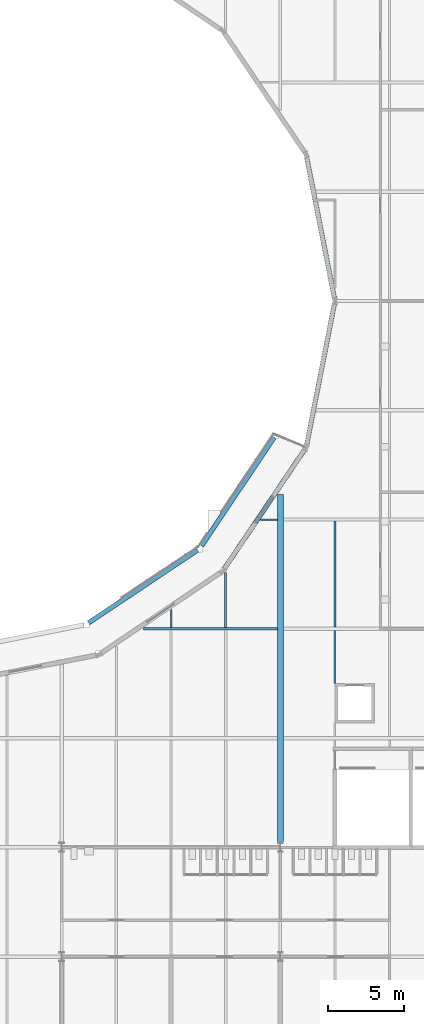
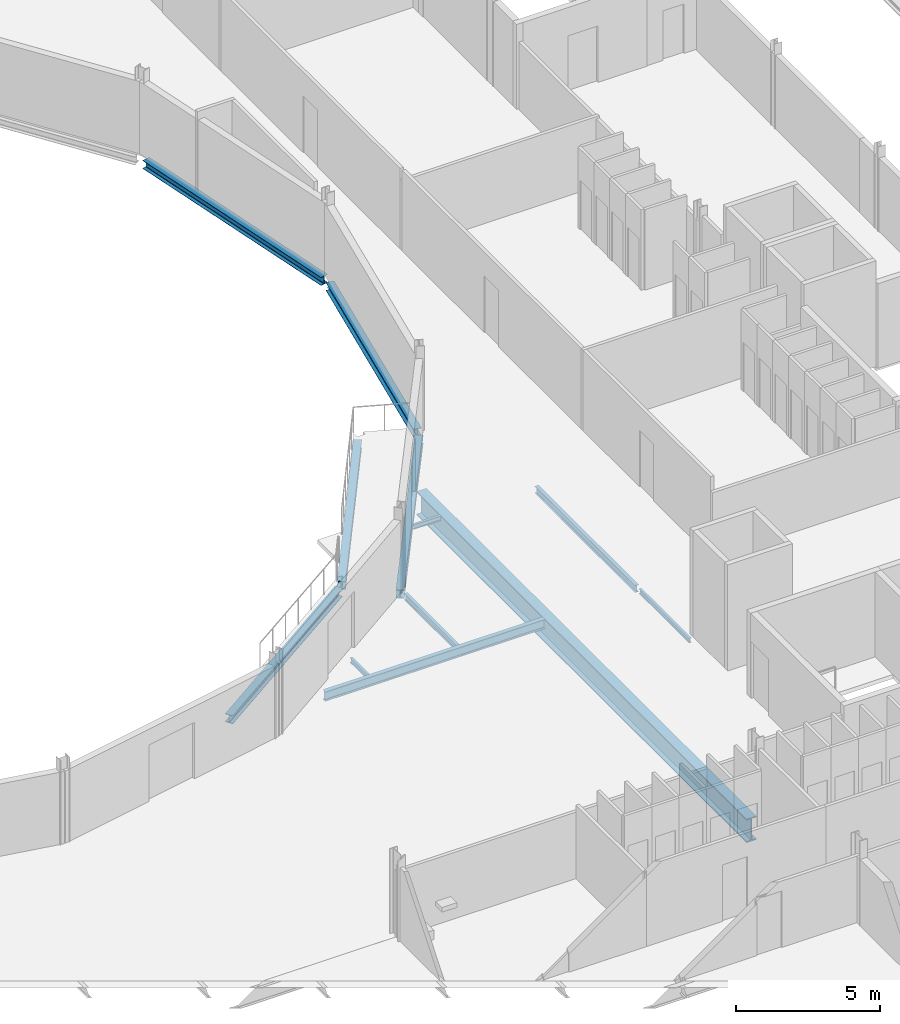
# One storey, part 28 of 142: 12 beams.
"""IFC4 building model written with IfcOpenShell, lengths in metres."""

import ifcopenshell
import ifcopenshell.guid

model = None  # the IFC model being written
_history = None  # IfcOwnerHistory: only IFC2X3 demands one
_inside = {}  # id of a spatial element -> (the spatial element, [elements in it])
_under = {}  # id of a project, library or spatial element -> (it, [spatial elements below it])
_declared = {}  # id of a project -> (the project, [libraries it declares])
_typed = {}  # id of a type object -> (the type object, [elements of that type])
_made_of = {}  # id of a material, layer set ... -> (it, [elements and type objects made of it])


def new_model(schema):
    """Start an empty IFC model of exactly this schema.

    Asked for "IFC4X3", IfcOpenShell would pick the latest addendum, in which some entities
    have other attributes; the version numbers below select the first issue.
    IFC2X3 requires an IfcOwnerHistory on every rooted entity: one is made here for all.
    """
    global model, _history
    if schema == "IFC4X3":
        model = ifcopenshell.file(schema_version=(4, 3, 0, 0))
    else:
        model = ifcopenshell.file(schema=schema)
    _inside.clear()
    _under.clear()
    _declared.clear()
    _typed.clear()
    _made_of.clear()
    _history = None
    if model.schema == "IFC2X3":
        org = make("IfcOrganization", Name="unknown")
        user = make(
            "IfcPersonAndOrganization",
            ThePerson=make("IfcPerson", FamilyName="unknown"),
            TheOrganization=org,
        )
        app = make(
            "IfcApplication",
            ApplicationDeveloper=org,
            Version="unknown",
            ApplicationFullName="unknown",
            ApplicationIdentifier="unknown",
        )
        _history = make(
            "IfcOwnerHistory",
            OwningUser=user,
            OwningApplication=app,
            ChangeAction="ADDED",
            CreationDate=0,
        )
    return model


def make(cls, **values):
    """One entity of the class cls with the attributes given. An attribute that is None is left unset."""
    return model.create_entity(
        cls, **{name: value for name, value in values.items() if value is not None}
    )


def rooted(cls, **values):
    """An entity with a GlobalId (a new one), such as an element, a storey or a relation."""
    return make(cls, GlobalId=ifcopenshell.guid.new(), OwnerHistory=_history, **values)


def si_unit(unit_type, name, prefix=None):
    """IfcSIUnit, for example si_unit("LENGTHUNIT", "METRE", prefix="MILLI")."""
    return make("IfcSIUnit", UnitType=unit_type, Prefix=prefix, Name=name)


def assignment(units):
    """IfcUnitAssignment: the units of a project."""
    return None if units is None else make("IfcUnitAssignment", Units=units)


def point(xyz):
    """IfcCartesianPoint."""
    return None if xyz is None else make("IfcCartesianPoint", Coordinates=xyz)


def direction(xyz):
    """IfcDirection."""
    return None if xyz is None else make("IfcDirection", DirectionRatios=xyz)


def frame(location, z_axis=None, x_axis=None):
    """IfcAxis2Placement3D, a coordinate frame: its origin and axes. An axis left out is left unset."""
    return make(
        "IfcAxis2Placement3D",
        Location=point(location),
        Axis=direction(z_axis),
        RefDirection=direction(x_axis),
    )


def frame_2d(location, x_axis=None):
    """IfcAxis2Placement2D, a coordinate frame in the plane: its origin and x axis."""
    return make(
        "IfcAxis2Placement2D", Location=point(location), RefDirection=direction(x_axis)
    )


def origin():
    """The frame at (0, 0, 0) with its axes left unset."""
    return frame((0.0, 0.0, 0.0))


def origin_2d():
    """The frame at (0, 0) in the plane with its x axis left unset."""
    return frame_2d((0.0, 0.0))


def place(relative_to, where):
    """IfcLocalPlacement: puts the frame where relative to a parent placement (None: the world)."""
    return make(
        "IfcLocalPlacement", PlacementRelTo=relative_to, RelativePlacement=where
    )


def context(
    kind, dimensions, precision=None, world=None, true_north=None, identifier=None
):
    """IfcGeometricRepresentationContext, for example the 3D "Model" context."""
    return make(
        "IfcGeometricRepresentationContext",
        ContextIdentifier=identifier,
        ContextType=kind,
        CoordinateSpaceDimension=dimensions,
        Precision=precision,
        WorldCoordinateSystem=world,
        TrueNorth=true_north,
    )


def subcontext(parent, identifier, kind, view, scale=None):
    """IfcGeometricRepresentationSubContext, for example "Body" below "Model"."""
    return make(
        "IfcGeometricRepresentationSubContext",
        ContextIdentifier=identifier,
        ContextType=kind,
        ParentContext=parent,
        TargetScale=scale,
        TargetView=view,
    )


def project(units=None, contexts=None):
    """IfcProject with its units and contexts."""
    return rooted(
        "IfcProject",
        Name="project",
        RepresentationContexts=contexts,
        UnitsInContext=assignment(units),
    )


def spatial(cls, under=None, at=None, **own):
    """A site, building, storey or space (cls), placed at a placement, below another one or the project."""
    s = rooted(cls, ObjectPlacement=at, **own)
    if under is not None:
        _under.setdefault(under.id(), (under, []))[1].append(s)
    return s


def profile(cls, at=None, kind="AREA", **sizes):
    """A parametric profile (cls). Its sizes go by their IFC names, for example OverallWidth=200.0."""
    return make(cls, ProfileType=kind, Position=at, **sizes)


def i_section(**sizes):
    """IfcIShapeProfileDef."""
    return profile("IfcIShapeProfileDef", **sizes)


def extrude(swept, where, along, depth):
    """IfcExtrudedAreaSolid: the profile swept, set in the frame where, extruded along a direction by depth."""
    return make(
        "IfcExtrudedAreaSolid",
        SweptArea=swept,
        Position=where,
        ExtrudedDirection=direction(along),
        Depth=depth,
    )


def shape(context_of_items, identifier, shape_type, items):
    """IfcShapeRepresentation: the items that make up one representation, for example the "Body"."""
    return make(
        "IfcShapeRepresentation",
        ContextOfItems=context_of_items,
        RepresentationIdentifier=identifier,
        RepresentationType=shape_type,
        Items=items,
    )


def material(Name=None, Category=None):
    """IfcMaterial."""
    return make("IfcMaterial", Name=Name, Category=Category)


def material_profile(
    of_material, cross_section, Name=None, Category=None, Priority=None
):
    """IfcMaterialProfile: a cross section and its material."""
    return make(
        "IfcMaterialProfile",
        Name=Name,
        Material=of_material,
        Profile=cross_section,
        Priority=Priority,
        Category=Category,
    )


def profile_set(profiles, Name=None, composite=None):
    """IfcMaterialProfileSet."""
    return make(
        "IfcMaterialProfileSet",
        Name=Name,
        MaterialProfiles=profiles,
        CompositeProfile=composite,
    )


def made_of(thing, what):
    """Note that an element or type object is made of a material, layer set ...; save() writes the relation."""
    if what is not None:
        _made_of.setdefault(what.id(), (what, []))[1].append(thing)
    return thing


def type_object(cls, material=None, **own):
    """A type object (cls), such as IfcWallType, which elements share."""
    return made_of(rooted(cls, **own), material)


def element(
    cls,
    number,
    at=None,
    inside=None,
    cuts=None,
    type_object=None,
    material=None,
    context=None,
    identifier="Body",
    shape_type=None,
    held_by="IfcProductDefinitionShape",
    body=None,
    shapes=None,
    **own,
):
    """One element of the class cls, such as IfcWall. Its Tag is "e" and its number.

    at: its placement. inside: the storey or other place that contains it. cuts: it is an
    opening in that element (IfcRelVoidsElement). A single representation is given by context,
    identifier, shape_type and body (its items); several are given by shapes. held_by: the class
    of the entity that holds the representations. save() writes the other relations.
    """
    e = rooted(cls, Tag="e%d" % number, ObjectPlacement=at, **own)
    if body is not None:
        shapes = [shape(context, identifier, shape_type, body)]
    if shapes is not None:
        e.Representation = make(held_by, Representations=shapes)
    if inside is not None:
        _inside.setdefault(inside.id(), (inside, []))[1].append(e)
    if cuts is not None:
        rooted(
            "IfcRelVoidsElement", RelatingBuildingElement=cuts, RelatedOpeningElement=e
        )
    if type_object is not None:
        _typed.setdefault(type_object.id(), (type_object, []))[1].append(e)
    return made_of(e, material)


def aggregate(whole, parts):
    """IfcRelAggregates: a whole, such as a stair, and the parts it consists of."""
    return rooted("IfcRelAggregates", RelatingObject=whole, RelatedObjects=parts)


def save(model, path):
    """Write the relations noted so far, then the file.

    IfcRelAggregates (storeys below a building ...), IfcRelContainedInSpatialStructure (elements
    in a storey), IfcRelDefinesByType, IfcRelAssociatesMaterial and IfcRelDeclares: one each for
    every whole, place, type object, material and project.
    """
    for whole, parts in _under.values():
        aggregate(whole, parts)
    for where, things in _inside.values():
        rooted(
            "IfcRelContainedInSpatialStructure",
            RelatedElements=things,
            RelatingStructure=where,
        )
    for kind, things in _typed.values():
        rooted("IfcRelDefinesByType", RelatedObjects=things, RelatingType=kind)
    for what, things in _made_of.values():
        rooted("IfcRelAssociatesMaterial", RelatedObjects=things, RelatingMaterial=what)
    for by, libraries in _declared.values():
        rooted("IfcRelDeclares", RelatingContext=by, RelatedDefinitions=libraries)
    model.write(path)


model = new_model("IFC4")

# Units and contexts
model_context = context("Model", 3, precision=1e-05, world=origin(), true_north=direction((0.0, 1.0)))
body_context = subcontext(model_context, "Body", "Model", "MODEL_VIEW")
ifc_project = project(units=[si_unit("LENGTHUNIT", "METRE"), si_unit("AREAUNIT", "SQUARE_METRE"), si_unit("VOLUMEUNIT", "CUBIC_METRE"), si_unit("PLANEANGLEUNIT", "RADIAN"), si_unit("MASSUNIT", "GRAM", prefix="KILO")], contexts=[model_context])

# Site, building, storey
site_placement = place(None, origin())
site = spatial("IfcSite", under=ifc_project, at=site_placement, CompositionType="ELEMENT")
building_placement = place(site_placement, origin())
building = spatial("IfcBuilding", under=site, at=building_placement, Name="Kupolbacken Congress Centre", CompositionType="ELEMENT")
storey_placement = place(building_placement, frame((0.0, 0.0, 14.39990234375)))
storey = spatial("IfcBuildingStorey", under=building, at=storey_placement, Name="L04", CompositionType="ELEMENT", Elevation=14.39990234375)

# Beams
ifc_material_1 = material(Name="Steel S355", Category="steel")
ifc_material_profile_1 = material_profile(ifc_material_1, i_section(OverallWidth=0.10009765625, OverallDepth=0.199951171875, WebThickness=0.005615234375, FlangeThickness=0.008544921875, FilletRadius=0.011962890625, at=origin_2d()), Name="IPE 200")
ifc_profile_set_1 = profile_set([ifc_material_profile_1], Name="Steel S355")
beam_type_1 = type_object("IfcBeamType", Name="B01 beam IPE 200", PredefinedType="BEAM", material=ifc_profile_set_1)
beam_1_placement = place(storey_placement, frame((63.50927734375, 72.0, -0.27978515625), z_axis=(1.0, 0.0, 0.0), x_axis=(0.0, 1.0, 0.0)))
element("IfcBeam", 1, at=beam_1_placement, inside=storey, type_object=beam_type_1, Name="S/floor/P/L04/R049", PredefinedType="BEAM", context=body_context, shape_type="SweptSolid", body=[
    extrude(i_section(OverallWidth=0.10009765625, OverallDepth=0.199951171875, WebThickness=0.005615234375, FlangeThickness=0.008544921875, FilletRadius=0.011962890625, at=origin_2d()), origin(), (0.0, 0.0, 1.0), 1.0908203125),
])
beam_2_placement = place(storey_placement, frame((57.60009765625, 64.889892578125, -0.27978515625), z_axis=(0.0, 1.0, 0.0), x_axis=(-1.0, 0.0, 0.0)))
element("IfcBeam", 2, at=beam_2_placement, inside=storey, type_object=beam_type_1, Name="S/floor/P/L04/S130", PredefinedType="BEAM", context=body_context, shape_type="SweptSolid", body=[
    extrude(i_section(OverallWidth=0.10009765625, OverallDepth=0.199951171875, WebThickness=0.005615234375, FlangeThickness=0.008544921875, FilletRadius=0.011962890625, at=origin_2d()), origin(), (0.0, 0.0, 1.0), 1.200927734375),
])
beam_3_placement = place(storey_placement, frame((68.39990234375, 61.199951171875, -0.27978515625), z_axis=(0.0, 1.0, 0.0), x_axis=(-1.0, 0.0, 0.0)))
element("IfcBeam", 3, at=beam_3_placement, inside=storey, type_object=beam_type_1, Name="S/floor/P/L04/S167", PredefinedType="BEAM", context=body_context, shape_type="SweptSolid", body=[
    extrude(i_section(OverallWidth=0.10009765625, OverallDepth=0.199951171875, WebThickness=0.005615234375, FlangeThickness=0.008544921875, FilletRadius=0.011962890625, at=origin_2d()), origin(), (0.0, 0.0, 1.0), 3.489990234375),
])
ifc_material_2 = material(Name="Steel S355", Category="steel")
ifc_material_profile_2 = material_profile(ifc_material_2, i_section(OverallWidth=0.135009765625, OverallDepth=0.27001953125, WebThickness=0.006591796875, FlangeThickness=0.01025390625, FilletRadius=0.014892578125, at=origin_2d()), Name="IPE 270")
ifc_profile_set_2 = profile_set([ifc_material_profile_2], Name="Steel S355")
beam_type_2 = type_object("IfcBeamType", Name="B03 beam IPE 270", PredefinedType="BEAM", material=ifc_profile_set_2)
beam_4_placement = place(storey_placement, frame((61.199951171875, 64.889892578125, -0.31494140625), z_axis=(0.0, 1.0, 0.0), x_axis=(-1.0, 0.0, 0.0)))
element("IfcBeam", 4, at=beam_4_placement, inside=storey, type_object=beam_type_2, Name="S/floor/P/L04/S136", PredefinedType="BEAM", context=body_context, shape_type="SweptSolid", body=[
    extrude(i_section(OverallWidth=0.135009765625, OverallDepth=0.27001953125, WebThickness=0.006591796875, FlangeThickness=0.01025390625, FilletRadius=0.014892578125, at=origin_2d()), origin(), (0.0, 0.0, 1.0), 3.63818359375),
])
ifc_material_3 = material(Name="Steel S355", Category="steel")
ifc_material_profile_3 = material_profile(ifc_material_3, i_section(OverallWidth=0.14990234375, OverallDepth=0.300048828125, WebThickness=0.007080078125, FlangeThickness=0.0107421875, FilletRadius=0.014892578125, at=origin_2d()), Name="IPE 300")
ifc_profile_set_3 = profile_set([ifc_material_profile_3], Name="Steel S355")
beam_type_3 = type_object("IfcBeamType", Name="B04 beam IPE 300", PredefinedType="BEAM", material=ifc_profile_set_3)
beam_5_placement = place(storey_placement, frame((68.39990234375, 64.909912109375, -0.329833984375), z_axis=(0.0, 1.0, 0.0), x_axis=(-1.0, 0.0, 0.0)))
element("IfcBeam", 5, at=beam_5_placement, inside=storey, type_object=beam_type_3, Name="S/floor/P/L04/S168", PredefinedType="BEAM", context=body_context, shape_type="SweptSolid", body=[
    extrude(i_section(OverallWidth=0.14990234375, OverallDepth=0.300048828125, WebThickness=0.007080078125, FlangeThickness=0.0107421875, FilletRadius=0.014892578125, at=origin_2d()), origin(), (0.0, 0.0, 1.0), 6.97998046875),
])
ifc_material_4 = material(Name="Steel S355", Category="steel")
ifc_material_profile_4 = material_profile(ifc_material_4, i_section(OverallWidth=0.179931640625, OverallDepth=0.39990234375, WebThickness=0.008544921875, FlangeThickness=0.013427734375, FilletRadius=0.02099609375, at=origin_2d()), Name="IPE 400")
ifc_profile_set_4 = profile_set([ifc_material_profile_4], Name="Steel S355")
beam_type_4 = type_object("IfcBeamType", Name="B07 beam IPE 400", PredefinedType="BEAM", material=ifc_profile_set_4)
beam_6_placement = place(storey_placement, frame((55.7705078125, 64.800048828125, -0.3798828125), z_axis=(1.0, 0.0, 0.0), x_axis=(0.0, 1.0, 0.0)))
element("IfcBeam", 6, at=beam_6_placement, inside=storey, type_object=beam_type_4, Name="S/floor/P/L04/R045", PredefinedType="BEAM", context=body_context, shape_type="SweptSolid", body=[
    extrude(i_section(OverallWidth=0.179931640625, OverallDepth=0.39990234375, WebThickness=0.008544921875, FlangeThickness=0.013427734375, FilletRadius=0.02099609375, at=origin_2d()), origin(), (0.0, 0.0, 1.0), 8.82958984375),
])
ifc_material_5 = material(Name="Steel S355", Category="steel")
ifc_material_profile_5 = material_profile(ifc_material_5, i_section(OverallWidth=0.300048828125, OverallDepth=0.35009765625, WebThickness=0.010009765625, FlangeThickness=0.017578125, FilletRadius=0.027099609375, at=origin_2d()), Name="HEA 360")
ifc_profile_set_5 = profile_set([ifc_material_profile_5], Name="Steel S355")
beam_type_5 = type_object("IfcBeamType", Name="B13 beam HEA 360", PredefinedType="BEAM", material=ifc_profile_set_5)
beam_7_placement = place(storey_placement, frame((68.360595703125, 86.60009765625, -0.35498046875), z_axis=(-0.193191886678, 0.981160993376, 0.0), x_axis=(-0.981160993376, -0.193191886678, 0.0)))
element("IfcBeam", 7, at=beam_7_placement, inside=storey, type_object=beam_type_5, Name="S/floor/P/L04/C001", PredefinedType="BEAM", context=body_context, shape_type="SweptSolid", body=[
    extrude(i_section(OverallWidth=0.300048828125, OverallDepth=0.35009765625, WebThickness=0.010009765625, FlangeThickness=0.017578125, FilletRadius=0.027099609375, at=origin_2d()), origin(), (0.0, 0.0, 1.0), 9.42724609375),
])
beam_8_placement = place(storey_placement, frame((61.114013671875, 68.768798828125, -0.35498046875), z_axis=(0.559372299764, 0.828916539983, 0.0), x_axis=(-0.828916539983, 0.559372299764, 0.0)))
element("IfcBeam", 8, at=beam_8_placement, inside=storey, type_object=beam_type_5, Name="S/floor/P/L04/C015", PredefinedType="BEAM", context=body_context, shape_type="SweptSolid", body=[
    extrude(i_section(OverallWidth=0.300048828125, OverallDepth=0.35009765625, WebThickness=0.010009765625, FlangeThickness=0.017578125, FilletRadius=0.027099609375, at=origin_2d()), origin(), (0.0, 0.0, 1.0), 9.42431640625),
])
beam_9_placement = place(storey_placement, frame((66.539306640625, 76.9501953125, -0.35498046875), z_axis=(0.193191886678, 0.981160993376, 0.0), x_axis=(-0.981160993376, 0.193191886678, 0.0)))
element("IfcBeam", 9, at=beam_9_placement, inside=storey, type_object=beam_type_5, Name="S/floor/P/L04/C016", PredefinedType="BEAM", context=body_context, shape_type="SweptSolid", body=[
    extrude(i_section(OverallWidth=0.300048828125, OverallDepth=0.35009765625, WebThickness=0.010009765625, FlangeThickness=0.017578125, FilletRadius=0.027099609375, at=origin_2d()), origin(), (0.0, 0.0, 1.0), 9.42724609375),
])
beam_10_placement = place(storey_placement, frame((52.175537109375, 65.197509765625, -0.35498046875), z_axis=(0.831466846946, 0.555574371645, 0.0), x_axis=(-0.555574371645, 0.831466846946, 0.0)))
element("IfcBeam", 10, at=beam_10_placement, inside=storey, type_object=beam_type_5, Name="Plenary ring edge beam", PredefinedType="BEAM", context=body_context, shape_type="SweptSolid", body=[
    extrude(i_section(OverallWidth=0.300048828125, OverallDepth=0.35009765625, WebThickness=0.010009765625, FlangeThickness=0.017578125, FilletRadius=0.027099609375, at=origin_2d()), origin(), (0.0, 0.0, 1.0), 8.63330078125),
])
beam_11_placement = place(storey_placement, frame((59.610595703125, 70.2529296875, -0.35498046875), z_axis=(0.555569479161, 0.831470116014, 0.0), x_axis=(-0.831470116014, 0.555569479161, 0.0)))
element("IfcBeam", 11, at=beam_11_placement, inside=storey, type_object=beam_type_5, Name="Plenary ring edge beam", PredefinedType="BEAM", context=body_context, shape_type="SweptSolid", body=[
    extrude(i_section(OverallWidth=0.300048828125, OverallDepth=0.35009765625, WebThickness=0.010009765625, FlangeThickness=0.017578125, FilletRadius=0.027099609375, at=origin_2d()), origin(), (0.0, 0.0, 1.0), 8.616943359375),
])
ifc_material_6 = material(Name="Steel S355", Category="steel")
ifc_material_profile_6 = material_profile(ifc_material_6, i_section(OverallWidth=0.39990234375, OverallDepth=1.0, WebThickness=0.02197265625, FlangeThickness=0.044921875, at=origin_2d()), Name="PG 1000 x 400")
ifc_profile_set_6 = profile_set([ifc_material_profile_6], Name="Steel S355")
beam_type_6 = type_object("IfcBeamType", Name="B23 beam PG 1000 x 400", PredefinedType="BEAM", material=ifc_profile_set_6)
beam_12_placement = place(storey_placement, frame((64.800048828125, 50.699951171875, -0.679931640625), z_axis=(0.0, 1.0, 0.0), x_axis=(-1.0, 0.0, 0.0)))
element("IfcBeam", 12, at=beam_12_placement, inside=storey, type_object=beam_type_6, Name="S/floor/P/L04/G029", PredefinedType="BEAM", context=body_context, shape_type="SweptSolid", body=[
    extrude(i_section(OverallWidth=0.39990234375, OverallDepth=1.0, WebThickness=0.02197265625, FlangeThickness=0.044921875, at=origin_2d()), origin(), (0.0, 0.0, 1.0), 22.966552734375),
])

save(model, "model.ifc")
